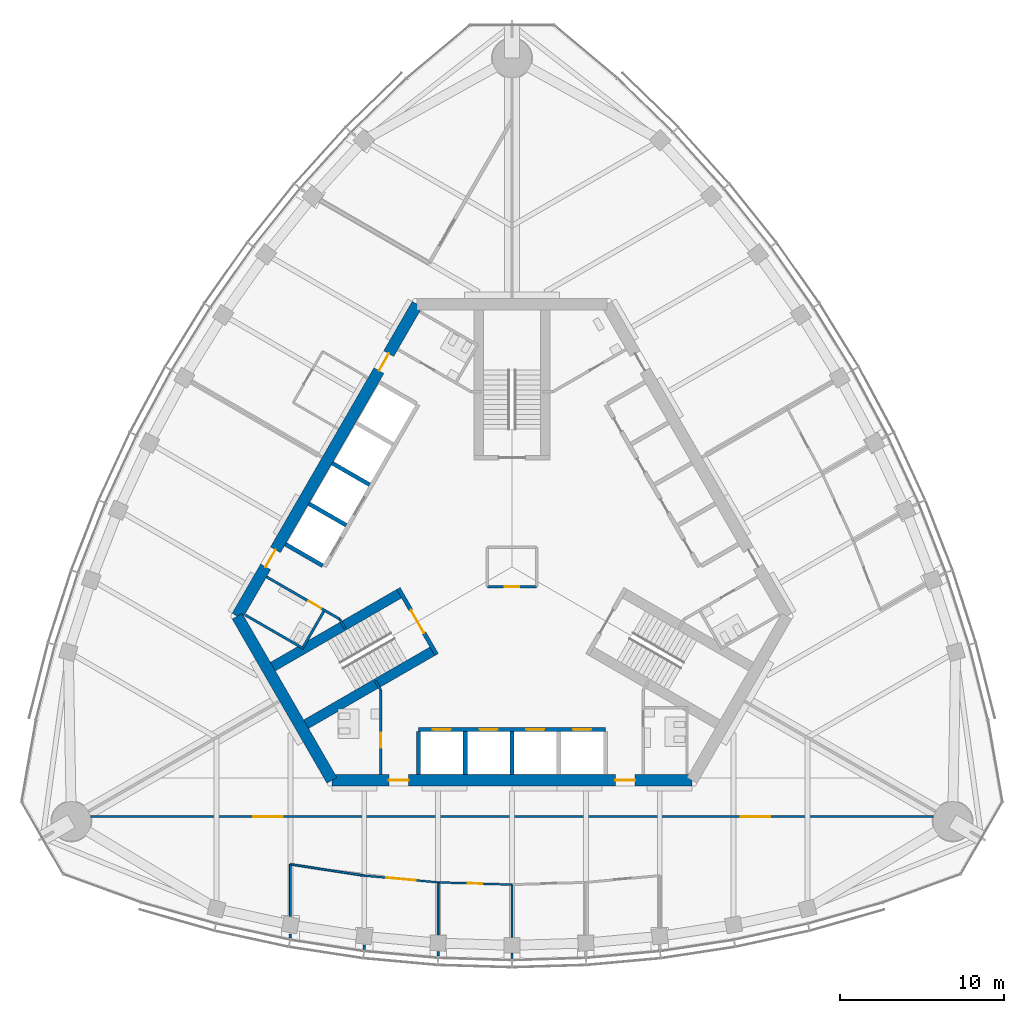
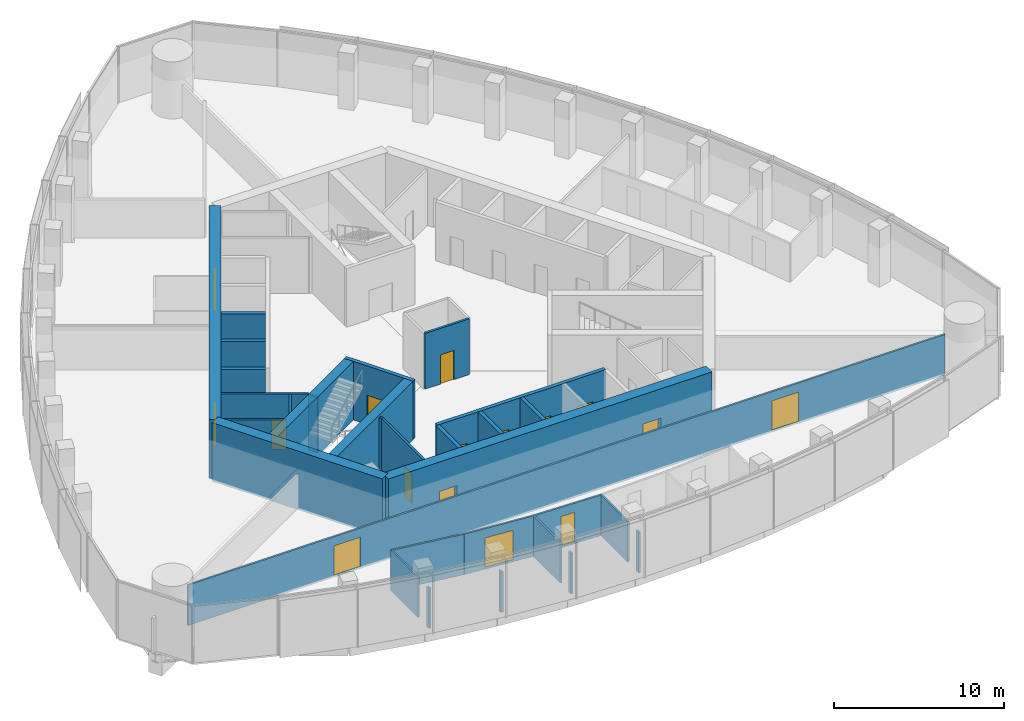
# One storey, part 8 of 16: 31 walls, 16 doors, 16 openings.
"""IFC4 building model written with IfcOpenShell, lengths in metres."""

from ifc_helpers import new_model, si_unit, direction, frame, frame_2d, origin, place, context, subcontext, project, spatial, rectangle, extrude, material, layer, layer_set, type_object, element, fill, save


model = new_model("IFC4")

# Units and contexts
model_context = context("Model", 3, precision=1e-05, world=origin(), true_north=direction((0.0, 1.0)))
body_context = subcontext(model_context, "Body", "Model", "MODEL_VIEW")
ifc_project = project(units=[si_unit("LENGTHUNIT", "METRE"), si_unit("AREAUNIT", "SQUARE_METRE"), si_unit("VOLUMEUNIT", "CUBIC_METRE"), si_unit("PLANEANGLEUNIT", "RADIAN"), si_unit("MASSUNIT", "GRAM", prefix="KILO")], contexts=[model_context])

# Site, building, storey
site_placement = place(None, origin())
site = spatial("IfcSite", under=ifc_project, at=site_placement, CompositionType="ELEMENT")
building_placement = place(site_placement, origin())
building = spatial("IfcBuilding", under=site, at=building_placement, Name="Trefoil Bronze Tower", CompositionType="ELEMENT")
storey_placement = place(building_placement, frame((0.0, 0.0, 293.10009765625)))
storey = spatial("IfcBuildingStorey", under=building, at=storey_placement, Name="L67", CompositionType="ELEMENT", Elevation=293.10009765625)

# Wall, openings, doors
ifc_material_1 = material(Name="Concrete B80", Category="concrete")
ifc_layer_1 = layer(ifc_material_1, 0.699951171875)
ifc_layer_set_1 = layer_set([ifc_layer_1], Name="Core wall 700")
wall_type_1 = type_object("IfcWallType", Name="Core wall 700", PredefinedType="SHEAR", material=ifc_layer_set_1)
wall_1_placement = place(storey_placement, frame((-10.9697265625, -13.0, 0.0), z_axis=(0.0, 0.0, 1.0), x_axis=(1.0, 0.0, 0.0)))
wall_1 = element("IfcWall", 1, at=wall_1_placement, inside=storey, type_object=wall_type_1, Name="Core long wall 1 L67", PredefinedType="SHEAR", context=body_context, shape_type="SweptSolid", body=[
    extrude(rectangle(XDim=21.939453125, YDim=0.699951171875, at=frame_2d((10.9697265625, 0.0))), origin(), (0.0, 0.0, 1.0), 4.199951171875),
])
opening_1_placement = place(wall_1_placement, frame((17.269775390625, 0.0, 0.0)))
opening_1 = element("IfcOpeningElement", 2, at=opening_1_placement, cuts=wall_1, Name="Opening D2", PredefinedType="OPENING", context=body_context, shape_type="SweptSolid", body=[
    extrude(rectangle(XDim=1.199951171875, YDim=2.10009765625, at=frame_2d((0.60009765625, 1.050048828125))), frame((0.0, 0.35986328125, 0.0), z_axis=(0.0, -1.0, 0.0), x_axis=(1.0, 0.0, 0.0)), (0.0, 0.0, 1.0), 0.719970703125),
])
opening_2_placement = place(wall_1_placement, frame((3.4697265625, 0.0, 0.0)))
opening_2 = element("IfcOpeningElement", 3, at=opening_2_placement, cuts=wall_1, Name="Opening D2", PredefinedType="OPENING", context=body_context, shape_type="SweptSolid", body=[
    extrude(rectangle(XDim=1.199951171875, YDim=2.10009765625, at=frame_2d((0.60009765625, 1.050048828125))), frame((0.0, 0.35986328125, 0.0), z_axis=(0.0, -1.0, 0.0), x_axis=(1.0, 0.0, 0.0)), (0.0, 0.0, 1.0), 0.719970703125),
])
ifc_material_2 = material(Name="Steel door", Category="steel")
door_type_1 = type_object("IfcDoorType", Name="Lobby door 1200", OperationType="SINGLE_SWING_RIGHT", PredefinedType="DOOR", material=ifc_material_2)
door_1_placement = place(opening_1_placement, origin())
door_1 = element("IfcDoor", 4, at=door_1_placement, inside=storey, type_object=door_type_1, Name="Lobby door F1+ L67", OperationType="SINGLE_SWING_RIGHT", OverallHeight=2.10009765625, OverallWidth=1.199951171875, PredefinedType="DOOR", context=body_context, shape_type="SweptSolid", body=[
    extrude(rectangle(XDim=1.199951171875, YDim=2.10009765625, at=frame_2d((0.60009765625, 1.050048828125))), frame((0.0, 0.02490234375, 0.0), z_axis=(0.0, -1.0, 0.0), x_axis=(1.0, 0.0, 0.0)), (0.0, 0.0, 1.0), 0.050048828125),
])
fill(opening_1, door_1)
door_2_placement = place(opening_2_placement, origin())
door_2 = element("IfcDoor", 5, at=door_2_placement, inside=storey, type_object=door_type_1, Name="Lobby door F1- L67", OperationType="SINGLE_SWING_LEFT", OverallHeight=2.10009765625, OverallWidth=1.199951171875, PredefinedType="DOOR", context=body_context, shape_type="SweptSolid", body=[
    extrude(rectangle(XDim=1.199951171875, YDim=2.10009765625, at=frame_2d((0.60009765625, 1.050048828125))), frame((0.0, 0.02490234375, 0.0), z_axis=(0.0, -1.0, 0.0), x_axis=(1.0, 0.0, 0.0)), (0.0, 0.0, 1.0), 0.050048828125),
])
fill(opening_2, door_2)

wall_2_placement = place(storey_placement, frame((-5.7734375, 16.0, 0.0), z_axis=(0.0, 0.0, 1.0), x_axis=(-0.500002442456, -0.866023993627, 0.0)))
wall_2 = element("IfcWall", 6, at=wall_2_placement, inside=storey, type_object=wall_type_1, Name="Core long wall 3 L67", PredefinedType="SHEAR", context=body_context, shape_type="SweptSolid", body=[
    extrude(rectangle(XDim=21.939453125, YDim=0.699951171875, at=frame_2d((10.9697265625, 0.0))), origin(), (0.0, 0.0, 1.0), 4.199951171875),
])
opening_3_placement = place(wall_2_placement, frame((17.269775390625, 0.0, 0.0)))
opening_3 = element("IfcOpeningElement", 7, at=opening_3_placement, cuts=wall_2, Name="Opening D2", PredefinedType="OPENING", context=body_context, shape_type="SweptSolid", body=[
    extrude(rectangle(XDim=1.199951171875, YDim=2.10009765625, at=frame_2d((0.60009765625, 1.050048828125))), frame((0.0, 0.35986328125, 0.0), z_axis=(0.0, -1.0, 0.0), x_axis=(1.0, 0.0, 0.0)), (0.0, 0.0, 1.0), 0.719970703125),
])
opening_4_placement = place(wall_2_placement, frame((3.4697265625, 0.0, 0.0)))
opening_4 = element("IfcOpeningElement", 8, at=opening_4_placement, cuts=wall_2, Name="Opening D2", PredefinedType="OPENING", context=body_context, shape_type="SweptSolid", body=[
    extrude(rectangle(XDim=1.199951171875, YDim=2.10009765625, at=frame_2d((0.60009765625, 1.050048828125))), frame((0.0, 0.35986328125, 0.0), z_axis=(0.0, -1.0, 0.0), x_axis=(1.0, 0.0, 0.0)), (0.0, 0.0, 1.0), 0.719970703125),
])
door_3_placement = place(opening_3_placement, origin())
door_3 = element("IfcDoor", 9, at=door_3_placement, inside=storey, type_object=door_type_1, Name="Lobby door F3+ L67", OperationType="SINGLE_SWING_RIGHT", OverallHeight=2.10009765625, OverallWidth=1.199951171875, PredefinedType="DOOR", context=body_context, shape_type="SweptSolid", body=[
    extrude(rectangle(XDim=1.199951171875, YDim=2.10009765625, at=frame_2d((0.60009765625, 1.050048828125))), frame((0.0, 0.02490234375, 0.0), z_axis=(0.0, -1.0, 0.0), x_axis=(1.0, 0.0, 0.0)), (0.0, 0.0, 1.0), 0.050048828125),
])
fill(opening_3, door_3)
door_4_placement = place(opening_4_placement, origin())
door_4 = element("IfcDoor", 10, at=door_4_placement, inside=storey, type_object=door_type_1, Name="Lobby door F3- L67", OperationType="SINGLE_SWING_LEFT", OverallHeight=2.10009765625, OverallWidth=1.199951171875, PredefinedType="DOOR", context=body_context, shape_type="SweptSolid", body=[
    extrude(rectangle(XDim=1.199951171875, YDim=2.10009765625, at=frame_2d((0.60009765625, 1.050048828125))), frame((0.0, 0.02490234375, 0.0), z_axis=(0.0, -1.0, 0.0), x_axis=(1.0, 0.0, 0.0)), (0.0, 0.0, 1.0), 0.050048828125),
])
fill(opening_4, door_4)

# Wall
wall_3_placement = place(storey_placement, frame((-16.7431640625, -3.0, 0.0), z_axis=(0.0, 0.0, 1.0), x_axis=(0.499995765644, -0.866027848477, 0.0)))
element("IfcWall", 11, at=wall_3_placement, inside=storey, type_object=wall_type_1, Name="Core short wall 3 L67", PredefinedType="SHEAR", context=body_context, shape_type="SweptSolid", body=[
    extrude(rectangle(XDim=11.546875, YDim=0.699951171875, at=frame_2d((5.7734375, 0.0))), origin(), (0.0, 0.0, 1.0), 4.199951171875),
])

# Wall, openings, doors
ifc_material_3 = material(Name="Glazed partition", Category="glass")
ifc_layer_2 = layer(ifc_material_3, 0.1201171875)
ifc_layer_set_2 = layer_set([ifc_layer_2], Name="Glazed partition 120")
wall_type_2 = type_object("IfcWallType", Name="Glazed partition 120", PredefinedType="PARTITIONING", material=ifc_layer_set_2)
wall_4_placement = place(storey_placement, frame((-25.6650390625, -15.2099609375, 0.0), z_axis=(0.0, 0.0, 1.0), x_axis=(1.0, 0.0, 0.0)))
wall_4 = element("IfcWall", 12, at=wall_4_placement, inside=storey, type_object=wall_type_2, Name="Partition F1 L67", PredefinedType="PARTITIONING", context=body_context, shape_type="SweptSolid", body=[
    extrude(rectangle(XDim=51.330078125, YDim=0.1201171875, at=frame_2d((25.6650390625, 0.0))), origin(), (0.0, 0.0, 1.0), 2.89990234375),
])
opening_5_placement = place(wall_4_placement, frame((9.89990234375, 0.0, 0.14990234375)))
opening_5 = element("IfcOpeningElement", 13, at=opening_5_placement, cuts=wall_4, Name="Opening D10", PredefinedType="OPENING", context=body_context, shape_type="SweptSolid", body=[
    extrude(rectangle(XDim=1.800048828125, YDim=2.10009765625, at=frame_2d((0.89990234375, 1.050048828125))), frame((0.0, 0.070068359375, 0.0), z_axis=(0.0, -1.0, 0.0), x_axis=(1.0, 0.0, 0.0)), (0.0, 0.0, 1.0), 0.14013671875),
])
opening_6_placement = place(wall_4_placement, frame((39.60009765625, 0.0, 0.14990234375)))
opening_6 = element("IfcOpeningElement", 14, at=opening_6_placement, cuts=wall_4, Name="Opening D10", PredefinedType="OPENING", context=body_context, shape_type="SweptSolid", body=[
    extrude(rectangle(XDim=1.800048828125, YDim=2.10009765625, at=frame_2d((0.89990234375, 1.050048828125))), frame((0.0, 0.070068359375, 0.0), z_axis=(0.0, -1.0, 0.0), x_axis=(1.0, 0.0, 0.0)), (0.0, 0.0, 1.0), 0.14013671875),
])
ifc_material_4 = material(Name="Timber door", Category="wood")
door_type_2 = type_object("IfcDoorType", Name="Double door 1800", OperationType="DOUBLE_DOOR_SINGLE_SWING", PredefinedType="DOOR", material=ifc_material_4)
door_5_placement = place(opening_5_placement, origin())
door_5 = element("IfcDoor", 15, at=door_5_placement, inside=storey, type_object=door_type_2, Name="Corridor door F1 L67", OperationType="DOUBLE_DOOR_SINGLE_SWING", OverallHeight=2.10009765625, OverallWidth=1.800048828125, PredefinedType="DOOR", context=body_context, shape_type="SweptSolid", body=[
    extrude(rectangle(XDim=1.800048828125, YDim=2.10009765625, at=frame_2d((0.89990234375, 1.050048828125))), frame((0.0, 0.02490234375, 0.0), z_axis=(0.0, -1.0, 0.0), x_axis=(1.0, 0.0, 0.0)), (0.0, 0.0, 1.0), 0.050048828125),
])
fill(opening_5, door_5)
door_6_placement = place(opening_6_placement, origin())
door_6 = element("IfcDoor", 16, at=door_6_placement, inside=storey, type_object=door_type_2, Name="Corridor door F1 L67", OperationType="DOUBLE_DOOR_SINGLE_SWING", OverallHeight=2.10009765625, OverallWidth=1.800048828125, PredefinedType="DOOR", context=body_context, shape_type="SweptSolid", body=[
    extrude(rectangle(XDim=1.800048828125, YDim=2.10009765625, at=frame_2d((0.89990234375, 1.050048828125))), frame((0.0, 0.02490234375, 0.0), z_axis=(0.0, -1.0, 0.0), x_axis=(1.0, 0.0, 0.0)), (0.0, 0.0, 1.0), 0.050048828125),
])
fill(opening_6, door_6)

# Wall
wall_5_placement = place(storey_placement, frame((-13.5, -18.1162109375, 0.0), z_axis=(0.0, 0.0, 1.0), x_axis=(0.988481794406, -0.151339823341, 0.0)))
element("IfcWall", 17, at=wall_5_placement, inside=storey, type_object=wall_type_2, Name="Partition F1 L67", PredefinedType="PARTITIONING", context=body_context, shape_type="SweptSolid", body=[
    extrude(rectangle(XDim=4.552490234375, YDim=0.1201171875, at=frame_2d((2.2763671875, 0.0))), origin(), (0.0, 0.0, 1.0), 2.89990234375),
])

# Wall, opening, door
wall_6_placement = place(storey_placement, frame((-4.5, -19.21533203125, 0.0), z_axis=(0.0, 0.0, 1.0), x_axis=(0.999542074227, -0.030259574513, 0.0)))
wall_6 = element("IfcWall", 18, at=wall_6_placement, inside=storey, type_object=wall_type_2, Name="Partition F1 L67", PredefinedType="PARTITIONING", context=body_context, shape_type="SweptSolid", body=[
    extrude(rectangle(XDim=4.501953125, YDim=0.1201171875, at=frame_2d((2.2509765625, 0.0))), origin(), (0.0, 0.0, 1.0), 2.89990234375),
])
opening_7_placement = place(wall_6_placement, frame((1.800048828125, 0.0, 0.14990234375)))
opening_7 = element("IfcOpeningElement", 19, at=opening_7_placement, cuts=wall_6, Name="Opening D8", PredefinedType="OPENING", context=body_context, shape_type="SweptSolid", body=[
    extrude(rectangle(XDim=0.89990234375, YDim=2.10009765625, at=frame_2d((0.449951171875, 1.050048828125))), frame((0.0, 0.070068359375, 0.0), z_axis=(0.0, -1.0, 0.0), x_axis=(1.0, 0.0, 0.0)), (0.0, 0.0, 1.0), 0.14013671875),
])
ifc_material_5 = material(Name="Timber door", Category="wood")
door_type_3 = type_object("IfcDoorType", Name="Office door 900", OperationType="SINGLE_SWING_LEFT", PredefinedType="DOOR", material=ifc_material_5)
door_7_placement = place(opening_7_placement, frame((0.89990234375, 0.0, 0.0), z_axis=(0.0, 0.0, 1.0), x_axis=(-1.0, 0.0, 0.0)))
door_7 = element("IfcDoor", 20, at=door_7_placement, inside=storey, type_object=door_type_3, Name="Office door F1 L67", OperationType="SINGLE_SWING_RIGHT", OverallHeight=2.10009765625, OverallWidth=0.89990234375, PredefinedType="DOOR", context=body_context, shape_type="SweptSolid", body=[
    extrude(rectangle(XDim=0.89990234375, YDim=2.10009765625, at=frame_2d((0.449951171875, 1.050048828125))), frame((0.0, 0.02490234375, 0.0), z_axis=(0.0, -1.0, 0.0), x_axis=(1.0, 0.0, 0.0)), (0.0, 0.0, 1.0), 0.050048828125),
])
fill(opening_7, door_7)

wall_7_placement = place(storey_placement, frame((-9.0, -18.80517578125, 0.0), z_axis=(0.0, 0.0, 1.0), x_axis=(0.995871921504, -0.090769576179, 0.0)))
wall_7 = element("IfcWall", 21, at=wall_7_placement, inside=storey, type_object=wall_type_2, Name="Partition F1 L67", PredefinedType="PARTITIONING", context=body_context, shape_type="SweptSolid", body=[
    extrude(rectangle(XDim=4.5185546875, YDim=0.1201171875, at=frame_2d((2.25927734375, 0.0))), origin(), (0.0, 0.0, 1.0), 2.89990234375),
])
opening_8_placement = place(wall_7_placement, frame((1.35009765625, 0.0, 0.14990234375)))
opening_8 = element("IfcOpeningElement", 22, at=opening_8_placement, cuts=wall_7, Name="Opening D10", PredefinedType="OPENING", context=body_context, shape_type="SweptSolid", body=[
    extrude(rectangle(XDim=1.800048828125, YDim=2.10009765625, at=frame_2d((0.89990234375, 1.050048828125))), frame((0.0, 0.070068359375, 0.0), z_axis=(0.0, -1.0, 0.0), x_axis=(1.0, 0.0, 0.0)), (0.0, 0.0, 1.0), 0.14013671875),
])
door_8_placement = place(opening_8_placement, frame((1.800048828125, 0.0, 0.0), z_axis=(0.0, 0.0, 1.0), x_axis=(-1.0, 0.0, 0.0)))
door_8 = element("IfcDoor", 23, at=door_8_placement, inside=storey, type_object=door_type_2, Name="Kitchen and breakout door F1 L67", OperationType="DOUBLE_DOOR_SINGLE_SWING", OverallHeight=2.10009765625, OverallWidth=1.800048828125, PredefinedType="DOOR", context=body_context, shape_type="SweptSolid", body=[
    extrude(rectangle(XDim=1.800048828125, YDim=2.10009765625, at=frame_2d((0.89990234375, 1.050048828125))), frame((0.0, 0.02490234375, 0.0), z_axis=(0.0, -1.0, 0.0), x_axis=(1.0, 0.0, 0.0)), (0.0, 0.0, 1.0), 0.050048828125),
])
fill(opening_8, door_8)

# Walls
wall_8_placement = place(storey_placement, frame((0.0, -19.3515625, 0.0), z_axis=(0.0, 0.0, 1.0), x_axis=(0.0, -1.0, 0.0)))
element("IfcWall", 24, at=wall_8_placement, inside=storey, type_object=wall_type_2, Name="Partition F1 L67", PredefinedType="PARTITIONING", context=body_context, shape_type="SweptSolid", body=[
    extrude(rectangle(XDim=3.195068359375, YDim=0.1201171875, at=frame_2d((1.59765625, 0.0))), origin(), (0.0, 0.0, 1.0), 2.89990234375),
])
wall_9_placement = place(storey_placement, frame((-13.5, -18.1162109375, 0.0), z_axis=(0.0, 0.0, 1.0), x_axis=(0.0, -1.0, 0.0)))
element("IfcWall", 25, at=wall_9_placement, inside=storey, type_object=wall_type_2, Name="Partition F1 L67", PredefinedType="PARTITIONING", context=body_context, shape_type="SweptSolid", body=[
    extrude(rectangle(XDim=3.173095703125, YDim=0.1201171875, at=frame_2d((1.58642578125, 0.0))), origin(), (0.0, 0.0, 1.0), 2.89990234375),
])
wall_10_placement = place(storey_placement, frame((-4.5, -19.21533203125, 0.0), z_axis=(0.0, 0.0, 1.0), x_axis=(0.0, -1.0, 0.0)))
element("IfcWall", 26, at=wall_10_placement, inside=storey, type_object=wall_type_2, Name="Partition F1 L67", PredefinedType="PARTITIONING", context=body_context, shape_type="SweptSolid", body=[
    extrude(rectangle(XDim=3.192626953125, YDim=0.1201171875, at=frame_2d((1.59619140625, 0.0))), origin(), (0.0, 0.0, 1.0), 2.89990234375),
])

# Wall, opening, door
ifc_material_6 = material(Name="Gypsum board on steel studs", Category="steel")
ifc_layer_3 = layer(ifc_material_6, 0.14990234375)
ifc_layer_set_3 = layer_set([ifc_layer_3], Name="Partition 150")
wall_type_3 = type_object("IfcWallType", Name="Partition 150", PredefinedType="PARTITIONING", material=ifc_layer_set_3)
wall_11_placement = place(storey_placement, frame((-8.0, -7.5, 0.0), z_axis=(0.0, 0.0, 1.0), x_axis=(0.0, -1.0, 0.0)))
wall_11 = element("IfcWall", 27, at=wall_11_placement, inside=storey, type_object=wall_type_3, Name="Passage wall F1- L67", PredefinedType="PARTITIONING", context=body_context, shape_type="SweptSolid", body=[
    extrude(rectangle(XDim=5.14990234375, YDim=0.14990234375, at=frame_2d((2.574951171875, 0.0))), origin(), (0.0, 0.0, 1.0), 4.0),
])
opening_9_placement = place(wall_11_placement, frame((2.60009765625, 0.0, 0.0)))
opening_9 = element("IfcOpeningElement", 28, at=opening_9_placement, cuts=wall_11, Name="Opening D3", PredefinedType="OPENING", context=body_context, shape_type="SweptSolid", body=[
    extrude(rectangle(XDim=0.89990234375, YDim=2.10009765625, at=frame_2d((0.449951171875, 1.050048828125))), frame((0.0, 0.0849609375, 0.0), z_axis=(0.0, -1.0, 0.0), x_axis=(1.0, 0.0, 0.0)), (0.0, 0.0, 1.0), 0.169921875),
])
ifc_material_7 = material(Name="Timber door", Category="wood")
door_type_4 = type_object("IfcDoorType", Name="WC door 900", OperationType="SINGLE_SWING_LEFT", PredefinedType="DOOR", material=ifc_material_7)
door_9_placement = place(opening_9_placement, frame((0.89990234375, 0.0, 0.0), z_axis=(0.0, 0.0, 1.0), x_axis=(-1.0, 0.0, 0.0)))
door_9 = element("IfcDoor", 29, at=door_9_placement, inside=storey, type_object=door_type_4, Name="WC (women) door L67", OperationType="SINGLE_SWING_LEFT", OverallHeight=2.10009765625, OverallWidth=0.89990234375, PredefinedType="DOOR", context=body_context, shape_type="SweptSolid", body=[
    extrude(rectangle(XDim=0.89990234375, YDim=2.10009765625, at=frame_2d((0.449951171875, 1.050048828125))), frame((0.0, 0.02490234375, 0.0), z_axis=(0.0, -1.0, 0.0), x_axis=(1.0, 0.0, 0.0)), (0.0, 0.0, 1.0), 0.050048828125),
])
fill(opening_9, door_9)

wall_12_placement = place(storey_placement, frame((-10.4951171875, -3.17822265625, 0.0), z_axis=(0.0, 0.0, 1.0), x_axis=(-0.866037967349, 0.499978238636, 0.0)))
wall_12 = element("IfcWall", 30, at=wall_12_placement, inside=storey, type_object=wall_type_3, Name="Passage wall F3+ L67", PredefinedType="PARTITIONING", context=body_context, shape_type="SweptSolid", body=[
    extrude(rectangle(XDim=5.150146484375, YDim=0.14990234375, at=frame_2d((2.5751953125, 0.0))), origin(), (0.0, 0.0, 1.0), 4.0),
])
opening_10_placement = place(wall_12_placement, frame((1.300048828125, 0.0, 0.0)))
opening_10 = element("IfcOpeningElement", 31, at=opening_10_placement, cuts=wall_12, Name="Opening D3", PredefinedType="OPENING", context=body_context, shape_type="SweptSolid", body=[
    extrude(rectangle(XDim=0.89990234375, YDim=2.10009765625, at=frame_2d((0.449951171875, 1.050048828125))), frame((0.0, 0.0849609375, 0.0), z_axis=(0.0, -1.0, 0.0), x_axis=(1.0, 0.0, 0.0)), (0.0, 0.0, 1.0), 0.169921875),
])
door_10_placement = place(opening_10_placement, origin())
door_10 = element("IfcDoor", 32, at=door_10_placement, inside=storey, type_object=door_type_4, Name="WC (men) door L67", OperationType="SINGLE_SWING_LEFT", OverallHeight=2.10009765625, OverallWidth=0.89990234375, PredefinedType="DOOR", context=body_context, shape_type="SweptSolid", body=[
    extrude(rectangle(XDim=0.89990234375, YDim=2.10009765625, at=frame_2d((0.449951171875, 1.050048828125))), frame((0.0, 0.02490234375, 0.0), z_axis=(0.0, -1.0, 0.0), x_axis=(1.0, 0.0, 0.0)), (0.0, 0.0, 1.0), 0.050048828125),
])
fill(opening_10, door_10)

# Walls
for number, where, z_axis, x_axis, name in (
    (33, (-10.4951171875, -3.17822265625, 0.0), (0.0, 0.0, 1.0), (0.499842556608, -0.866116284689, 0.0), "WC wall ST3-1 L67"),
    (34, (-8.0, -7.5, 0.0), (0.0, 0.0, 1.0), (-0.499842556608, 0.866116284689, 0.0), "WC wall ST3+1 L67"),
):
    element("IfcWall", number, at=place(storey_placement, frame(where, z_axis=z_axis, x_axis=x_axis)), inside=storey, type_object=wall_type_3, Name=name, PredefinedType="PARTITIONING", context=body_context, shape_type="SweptSolid", body=[
        extrude(rectangle(XDim=0.645263671875, YDim=0.14990234375, at=frame_2d((0.32275390625, 0.0))), origin(), (0.0, 0.0, 1.0), 4.0),
    ])
wall_13_placement = place(storey_placement, frame((-12.691162109375, -4.98193359375, 0.0), z_axis=(0.0, 0.0, 1.0), x_axis=(-0.8660249478, 0.500000789788, 0.0)))
element("IfcWall", 35, at=wall_13_placement, inside=storey, type_object=wall_type_3, Name="WC partition WC (men) L67", PredefinedType="PARTITIONING", context=body_context, shape_type="SweptSolid", body=[
    extrude(rectangle(XDim=4.10009765625, YDim=0.14990234375, at=frame_2d((2.050048828125, 0.0))), origin(), (0.0, 0.0, 1.0), 4.0),
])
wall_14_placement = place(storey_placement, frame((-11.463623046875, -2.70556640625, 0.0), z_axis=(0.0, 0.0, 1.0), x_axis=(-0.50001992892, -0.866013897511, 0.0)))
element("IfcWall", 36, at=wall_14_placement, inside=storey, type_object=wall_type_3, Name="WC partition WC (men) L67", PredefinedType="PARTITIONING", context=body_context, shape_type="SweptSolid", body=[
    extrude(rectangle(XDim=2.51025390625, YDim=0.14990234375, at=frame_2d((1.255126953125, 0.0))), origin(), (0.0, 0.0, 1.0), 4.0),
])
wall_15_placement = place(storey_placement, frame((0.0, -23.530517578125, 0.0), z_axis=(0.0, 0.0, 1.0), x_axis=(0.0, -1.0, 0.0)))
element("IfcWall", 37, at=wall_15_placement, inside=storey, type_object=wall_type_3, Name="Partition F1 L67", PredefinedType="PARTITIONING", context=body_context, shape_type="SweptSolid", body=[
    extrude(rectangle(XDim=0.316162109375, YDim=0.14990234375, at=frame_2d((0.158203125, 0.0))), origin(), (0.0, 0.0, 1.0), 2.89990234375),
])
wall_16_placement = place(storey_placement, frame((-13.5, -22.3603515625, 0.0), z_axis=(0.0, 0.0, 1.0), x_axis=(0.0, -1.0, 0.0)))
element("IfcWall", 38, at=wall_16_placement, inside=storey, type_object=wall_type_3, Name="Partition F1 L67", PredefinedType="PARTITIONING", context=body_context, shape_type="SweptSolid", body=[
    extrude(rectangle(XDim=0.2509765625, YDim=0.14990234375, at=frame_2d((0.12548828125, 0.0))), origin(), (0.0, 0.0, 1.0), 2.89990234375),
])
wall_17_placement = place(storey_placement, frame((-4.5, -23.4208984375, 0.0), z_axis=(0.0, 0.0, 1.0), x_axis=(0.0, -1.0, 0.0)))
element("IfcWall", 39, at=wall_17_placement, inside=storey, type_object=wall_type_3, Name="Partition F1 L67", PredefinedType="PARTITIONING", context=body_context, shape_type="SweptSolid", body=[
    extrude(rectangle(XDim=0.28955078125, YDim=0.14990234375, at=frame_2d((0.144775390625, 0.0))), origin(), (0.0, 0.0, 1.0), 2.89990234375),
])
wall_18_placement = place(storey_placement, frame((-9.0, -23.0322265625, 0.0), z_axis=(0.0, 0.0, 1.0), x_axis=(0.0, -1.0, 0.0)))
element("IfcWall", 40, at=wall_18_placement, inside=storey, type_object=wall_type_3, Name="Partition F1 L67", PredefinedType="PARTITIONING", context=body_context, shape_type="SweptSolid", body=[
    extrude(rectangle(XDim=0.267822265625, YDim=0.14990234375, at=frame_2d((0.1337890625, 0.0))), origin(), (0.0, 0.0, 1.0), 2.89990234375),
])

# Wall, opening, door
ifc_material_8 = material(Name="Gypsum board on steel studs", Category="steel")
ifc_layer_4 = layer(ifc_material_8, 0.14990234375)
ifc_layer_set_4 = layer_set([ifc_layer_4], Name="Riser wall 150")
wall_type_4 = type_object("IfcWallType", Name="Riser wall 150", PredefinedType="PARTITIONING", material=ifc_layer_set_4)
wall_19_placement = place(storey_placement, frame((-1.5, -1.199951171875, 0.0), z_axis=(0.0, 0.0, 1.0), x_axis=(1.0, 0.0, 0.0)))
wall_19 = element("IfcWall", 41, at=wall_19_placement, inside=storey, type_object=wall_type_4, Name="Riser wall L67", PredefinedType="PARTITIONING", context=body_context, shape_type="SweptSolid", body=[
    extrude(rectangle(XDim=3.0, YDim=0.14990234375, at=frame_2d((1.5, 0.0))), origin(), (0.0, 0.0, 1.0), 4.0),
])
opening_11_placement = place(wall_19_placement, frame((1.050048828125, 0.0, 0.0)))
opening_11 = element("IfcOpeningElement", 42, at=opening_11_placement, cuts=wall_19, Name="Opening D4", PredefinedType="OPENING", context=body_context, shape_type="SweptSolid", body=[
    extrude(rectangle(XDim=0.89990234375, YDim=2.10009765625, at=frame_2d((0.449951171875, 1.050048828125))), frame((0.0, 0.0849609375, 0.0), z_axis=(0.0, -1.0, 0.0), x_axis=(1.0, 0.0, 0.0)), (0.0, 0.0, 1.0), 0.169921875),
])
ifc_material_9 = material(Name="Steel door", Category="steel")
door_type_5 = type_object("IfcDoorType", Name="Riser door 900", OperationType="SINGLE_SWING_LEFT", PredefinedType="DOOR", material=ifc_material_9)
door_11_placement = place(opening_11_placement, frame((0.89990234375, 0.0, 0.0), z_axis=(0.0, 0.0, 1.0), x_axis=(-1.0, 0.0, 0.0)))
door_11 = element("IfcDoor", 43, at=door_11_placement, inside=storey, type_object=door_type_5, Name="Riser door L67", OperationType="SINGLE_SWING_LEFT", OverallHeight=2.10009765625, OverallWidth=0.89990234375, PredefinedType="DOOR", context=body_context, shape_type="SweptSolid", body=[
    extrude(rectangle(XDim=0.89990234375, YDim=2.10009765625, at=frame_2d((0.449951171875, 1.050048828125))), frame((0.0, 0.02490234375, 0.0), z_axis=(0.0, -1.0, 0.0), x_axis=(1.0, 0.0, 0.0)), (0.0, 0.0, 1.0), 0.050048828125),
])
fill(opening_11, door_11)

# Wall, openings, doors
ifc_material_10 = material(Name="Concrete B80", Category="concrete")
ifc_layer_5 = layer(ifc_material_10, 0.25)
ifc_layer_set_5 = layer_set([ifc_layer_5], Name="Shaft wall 250")
wall_type_5 = type_object("IfcWallType", Name="Shaft wall 250", PredefinedType="SHEAR", material=ifc_layer_set_5)
wall_20_placement = place(storey_placement, frame((-5.699951171875, -9.89990234375, 0.0), z_axis=(0.0, 0.0, 1.0), x_axis=(1.0, 0.0, 0.0)))
wall_20 = element("IfcWall", 44, at=wall_20_placement, inside=storey, type_object=wall_type_5, Name="Lift shaft front wall A L67", PredefinedType="SHEAR", context=body_context, shape_type="SweptSolid", body=[
    extrude(rectangle(XDim=11.39990234375, YDim=0.25, at=frame_2d((5.699951171875, 0.0))), origin(), (0.0, 0.0, 1.0), 4.199951171875),
])
opening_12_placement = place(wall_20_placement, frame((0.875, 0.0, 0.0)))
opening_12 = element("IfcOpeningElement", 45, at=opening_12_placement, cuts=wall_20, Name="Opening LD-P41", PredefinedType="OPENING", context=body_context, shape_type="SweptSolid", body=[
    extrude(rectangle(XDim=1.10009765625, YDim=2.199951171875, at=frame_2d((0.550048828125, 1.10009765625))), frame((0.0, 0.135009765625, 0.0), z_axis=(0.0, -1.0, 0.0), x_axis=(1.0, 0.0, 0.0)), (0.0, 0.0, 1.0), 0.27001953125),
])
opening_13_placement = place(wall_20_placement, frame((3.72509765625, 0.0, 0.0)))
opening_13 = element("IfcOpeningElement", 46, at=opening_13_placement, cuts=wall_20, Name="Opening LD-P42", PredefinedType="OPENING", context=body_context, shape_type="SweptSolid", body=[
    extrude(rectangle(XDim=1.10009765625, YDim=2.199951171875, at=frame_2d((0.550048828125, 1.10009765625))), frame((0.0, 0.135009765625, 0.0), z_axis=(0.0, -1.0, 0.0), x_axis=(1.0, 0.0, 0.0)), (0.0, 0.0, 1.0), 0.27001953125),
])
opening_14_placement = place(wall_20_placement, frame((6.574951171875, 0.0, 0.0)))
opening_14 = element("IfcOpeningElement", 47, at=opening_14_placement, cuts=wall_20, Name="Opening LD-P43", PredefinedType="OPENING", context=body_context, shape_type="SweptSolid", body=[
    extrude(rectangle(XDim=1.10009765625, YDim=2.199951171875, at=frame_2d((0.550048828125, 1.10009765625))), frame((0.0, 0.135009765625, 0.0), z_axis=(0.0, -1.0, 0.0), x_axis=(1.0, 0.0, 0.0)), (0.0, 0.0, 1.0), 0.27001953125),
])
opening_15_placement = place(wall_20_placement, frame((9.425048828125, 0.0, 0.0)))
opening_15 = element("IfcOpeningElement", 48, at=opening_15_placement, cuts=wall_20, Name="Opening LD-P44", PredefinedType="OPENING", context=body_context, shape_type="SweptSolid", body=[
    extrude(rectangle(XDim=1.10009765625, YDim=2.199951171875, at=frame_2d((0.550048828125, 1.10009765625))), frame((0.0, 0.135009765625, 0.0), z_axis=(0.0, -1.0, 0.0), x_axis=(1.0, 0.0, 0.0)), (0.0, 0.0, 1.0), 0.27001953125),
])
ifc_material_11 = material(Name="Steel door", Category="steel")
door_type_6 = type_object("IfcDoorType", Name="Lift landing door 1100", OperationType="DOUBLE_DOOR_SLIDING", PredefinedType="DOOR", material=ifc_material_11)
door_12_placement = place(opening_12_placement, origin())
door_12 = element("IfcDoor", 49, at=door_12_placement, inside=storey, type_object=door_type_6, Name="Lift P41 landing door L67", OperationType="DOUBLE_DOOR_SLIDING", OverallHeight=2.199951171875, OverallWidth=1.10009765625, PredefinedType="DOOR", context=body_context, shape_type="SweptSolid", body=[
    extrude(rectangle(XDim=1.10009765625, YDim=2.199951171875, at=frame_2d((0.550048828125, 1.10009765625))), frame((0.0, 0.02490234375, 0.0), z_axis=(0.0, -1.0, 0.0), x_axis=(1.0, 0.0, 0.0)), (0.0, 0.0, 1.0), 0.050048828125),
])
fill(opening_12, door_12)
door_13_placement = place(opening_13_placement, origin())
door_13 = element("IfcDoor", 50, at=door_13_placement, inside=storey, type_object=door_type_6, Name="Lift P42 landing door L67", OperationType="DOUBLE_DOOR_SLIDING", OverallHeight=2.199951171875, OverallWidth=1.10009765625, PredefinedType="DOOR", context=body_context, shape_type="SweptSolid", body=[
    extrude(rectangle(XDim=1.10009765625, YDim=2.199951171875, at=frame_2d((0.550048828125, 1.10009765625))), frame((0.0, 0.02490234375, 0.0), z_axis=(0.0, -1.0, 0.0), x_axis=(1.0, 0.0, 0.0)), (0.0, 0.0, 1.0), 0.050048828125),
])
fill(opening_13, door_13)
door_14_placement = place(opening_14_placement, origin())
door_14 = element("IfcDoor", 51, at=door_14_placement, inside=storey, type_object=door_type_6, Name="Lift P43 landing door L67", OperationType="DOUBLE_DOOR_SLIDING", OverallHeight=2.199951171875, OverallWidth=1.10009765625, PredefinedType="DOOR", context=body_context, shape_type="SweptSolid", body=[
    extrude(rectangle(XDim=1.10009765625, YDim=2.199951171875, at=frame_2d((0.550048828125, 1.10009765625))), frame((0.0, 0.02490234375, 0.0), z_axis=(0.0, -1.0, 0.0), x_axis=(1.0, 0.0, 0.0)), (0.0, 0.0, 1.0), 0.050048828125),
])
fill(opening_14, door_14)
door_15_placement = place(opening_15_placement, origin())
door_15 = element("IfcDoor", 52, at=door_15_placement, inside=storey, type_object=door_type_6, Name="Lift P44 landing door L67", OperationType="DOUBLE_DOOR_SLIDING", OverallHeight=2.199951171875, OverallWidth=1.10009765625, PredefinedType="DOOR", context=body_context, shape_type="SweptSolid", body=[
    extrude(rectangle(XDim=1.10009765625, YDim=2.199951171875, at=frame_2d((0.550048828125, 1.10009765625))), frame((0.0, 0.02490234375, 0.0), z_axis=(0.0, -1.0, 0.0), x_axis=(1.0, 0.0, 0.0)), (0.0, 0.0, 1.0), 0.050048828125),
])
fill(opening_15, door_15)

# Walls
for number, where, z_axis, x_axis, name in (
    (53, (-5.699951171875, -10.02490234375, 0.0), (0.0, 0.0, 1.0), (0.0, -1.0, 0.0), "Lift shaft side wall A0 L67"),
    (54, (-2.85009765625, -10.02490234375, 0.0), (0.0, 0.0, 1.0), (0.0, -1.0, 0.0), "Lift shaft side wall A1 L67"),
    (55, (0.0, -10.02490234375, 0.0), (0.0, 0.0, 1.0), (0.0, -1.0, 0.0), "Lift shaft side wall A2 L67"),
    (56, (-8.681884765625, 5.012451171875, 0.0), (0.0, 0.0, 1.0), (-0.866036909293, 0.499980071345, 0.0), "Lift shaft side wall C2 L67"),
    (57, (-10.10693359375, 2.54443359375, 0.0), (0.0, 0.0, 1.0), (-0.866013657776, 0.500020344131, 0.0), "Lift shaft side wall C3 L67"),
    (58, (-11.531982421875, 0.076171875, 0.0), (0.0, 0.0, 1.0), (-0.866013657776, 0.500020344131, 0.0), "Lift shaft side wall C4 L67"),
):
    element("IfcWall", number, at=place(storey_placement, frame(where, z_axis=z_axis, x_axis=x_axis)), inside=storey, type_object=wall_type_5, Name=name, PredefinedType="SHEAR", context=body_context, shape_type="SweptSolid", body=[
        extrude(rectangle(XDim=2.625, YDim=0.25, at=frame_2d((1.3125, 0.0))), origin(), (0.0, 0.0, 1.0), 4.199951171875),
    ])

# Wall, opening, door
wall_21_placement = place(storey_placement, frame((-6.921630859375, -1.3115234375, 0.0), z_axis=(0.0, 0.0, 1.0), x_axis=(0.499984536904, -0.866034331223, 0.0)))
wall_21 = element("IfcWall", 59, at=wall_21_placement, inside=storey, type_object=wall_type_5, Name="Stair end wall ST3 L67", PredefinedType="SHEAR", context=body_context, shape_type="SweptSolid", body=[
    extrude(rectangle(XDim=4.650146484375, YDim=0.25, at=frame_2d((2.3251953125, 0.0))), origin(), (0.0, 0.0, 1.0), 4.199951171875),
])
opening_16_placement = place(wall_21_placement, frame((1.52490234375, 0.0, 0.0)))
opening_16 = element("IfcOpeningElement", 60, at=opening_16_placement, cuts=wall_21, Name="Opening D1", PredefinedType="OPENING", context=body_context, shape_type="SweptSolid", body=[
    extrude(rectangle(XDim=1.60009765625, YDim=2.10009765625, at=frame_2d((0.800048828125, 1.050048828125))), frame((0.0, 0.135009765625, 0.0), z_axis=(0.0, -1.0, 0.0), x_axis=(1.0, 0.0, 0.0)), (0.0, 0.0, 1.0), 0.27001953125),
])
ifc_material_12 = material(Name="Steel door", Category="steel")
door_type_7 = type_object("IfcDoorType", Name="Stair door 1600", OperationType="DOUBLE_DOOR_SINGLE_SWING", PredefinedType="DOOR", material=ifc_material_12)
door_16_placement = place(opening_16_placement, frame((1.60009765625, 0.0, 0.0), z_axis=(0.0, 0.0, 1.0), x_axis=(-1.0, 0.0, 0.0)))
door_16 = element("IfcDoor", 61, at=door_16_placement, inside=storey, type_object=door_type_7, Name="Stair door ST3 L67", OperationType="DOUBLE_DOOR_SINGLE_SWING", OverallHeight=2.10009765625, OverallWidth=1.60009765625, PredefinedType="DOOR", context=body_context, shape_type="SweptSolid", body=[
    extrude(rectangle(XDim=1.60009765625, YDim=2.10009765625, at=frame_2d((0.800048828125, 1.050048828125))), frame((0.0, 0.02490234375, 0.0), z_axis=(0.0, -1.0, 0.0), x_axis=(1.0, 0.0, 0.0)), (0.0, 0.0, 1.0), 0.050048828125),
])
fill(opening_16, door_16)

# Walls
ifc_material_13 = material(Name="Concrete B80", Category="concrete")
ifc_layer_6 = layer(ifc_material_13, 0.60009765625)
ifc_layer_set_6 = layer_set([ifc_layer_6], Name="Stair wall 600")
wall_type_6 = type_object("IfcWallType", Name="Stair wall 600", PredefinedType="SHEAR", material=ifc_layer_set_6)
for number, where, z_axis, x_axis, name in (
    (62, (-6.663330078125, -1.5087890625, 0.0), (0.0, 0.0, 1.0), (-0.866028310072, -0.499994966129, 0.0), "Stair wall ST3 L67"),
    (63, (-4.638427734375, -5.01611328125, 0.0), (0.0, 0.0, 1.0), (-0.866021621257, -0.500006551472, 0.0), "Stair wall ST3 L67"),
):
    element("IfcWall", number, at=place(storey_placement, frame(where, z_axis=z_axis, x_axis=x_axis)), inside=storey, type_object=wall_type_6, Name=name, PredefinedType="SHEAR", context=body_context, shape_type="SweptSolid", body=[
        extrude(rectangle(XDim=9.125, YDim=0.60009765625, at=frame_2d((4.5625, 0.0))), origin(), (0.0, 0.0, 1.0), 4.199951171875),
    ])

save(model, "model.ifc")
